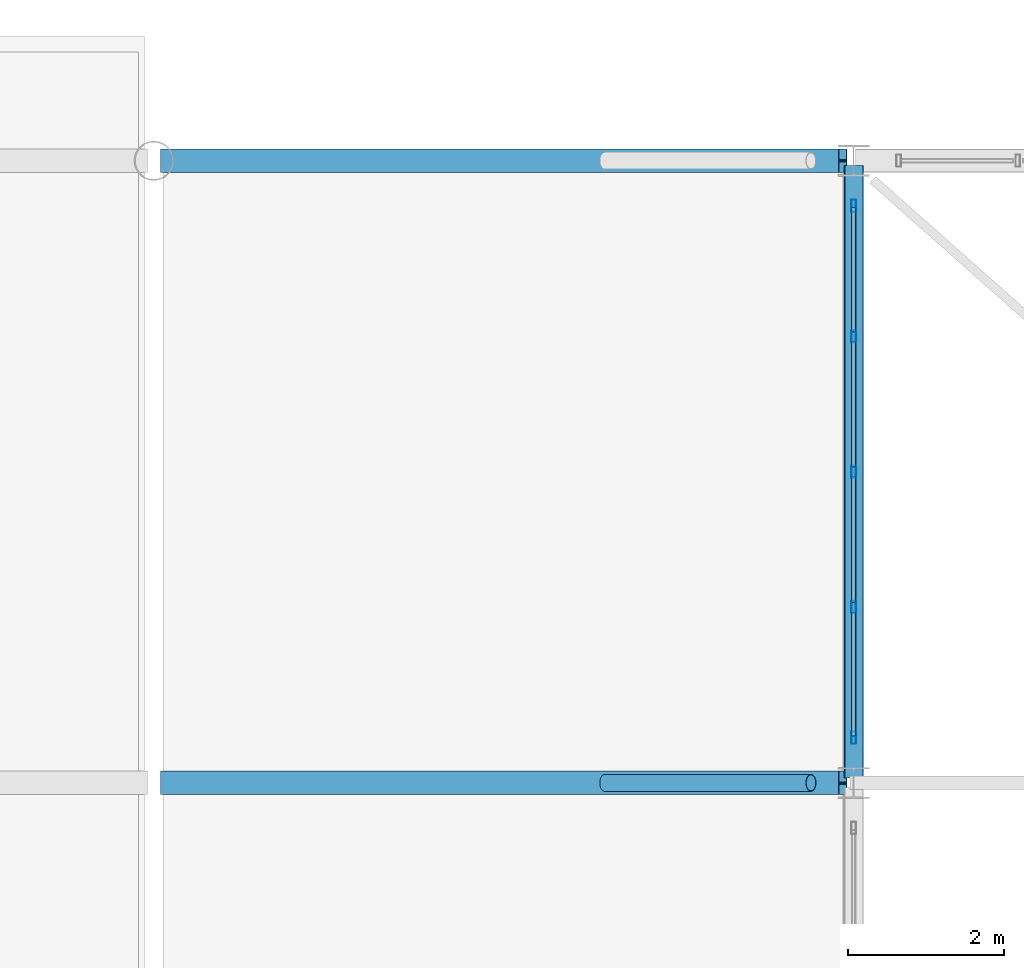
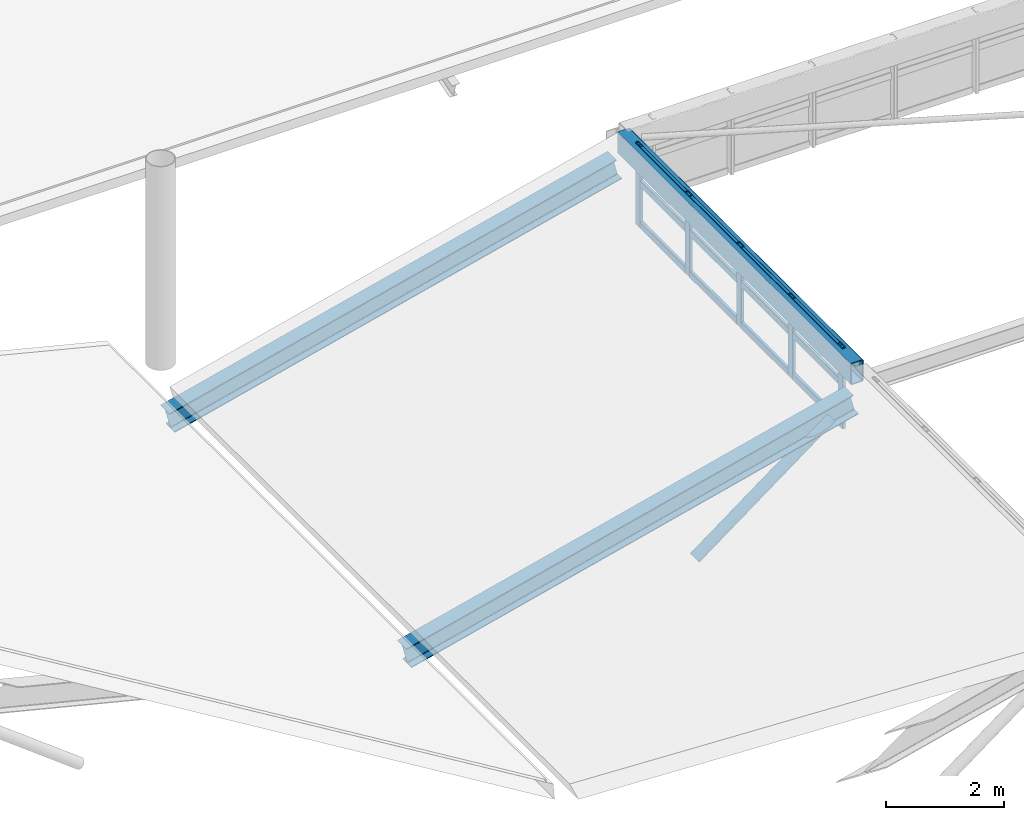
# One storey, part 44 of 128: 18 members, 3 beams, 1 element without a shape of its own.
"""IFC4 building model written with IfcOpenShell, lengths in metres."""

from ifc_helpers import new_model, si_unit, derived_unit, direction, frame, origin, origin_2d, place, context, subcontext, project, spatial, hollow_rectangle, hollow_circle, i_section, extrude, material, material_profile, profile_set, type_object, element, aggregate, save


model = new_model("IFC4")

# Units and contexts
model_context = context("Model", 3, precision=1e-05, world=origin(), true_north=direction((0.0, 1.0)))
body_context = subcontext(model_context, "Body", "Model", "MODEL_VIEW")
ifc_project = project(units=[si_unit("LENGTHUNIT", "METRE"), si_unit("AREAUNIT", "SQUARE_METRE"), si_unit("VOLUMEUNIT", "CUBIC_METRE"), si_unit("PLANEANGLEUNIT", "RADIAN"), si_unit("MASSUNIT", "GRAM", prefix="KILO"), derived_unit("THERMALTRANSMITTANCEUNIT", [(si_unit("MASSUNIT", "GRAM", prefix="KILO"), 1), (si_unit("TIMEUNIT", "SECOND"), -3), (si_unit("THERMODYNAMICTEMPERATUREUNIT", "KELVIN"), -1)])], contexts=[model_context])

# Site, building, storey
site_placement = place(None, origin())
site = spatial("IfcSite", under=ifc_project, at=site_placement, CompositionType="ELEMENT")
building_placement = place(site_placement, origin())
building = spatial("IfcBuilding", under=site, at=building_placement, Name="Zhenchuan Archway Interchange", CompositionType="ELEMENT")
storey_placement = place(building_placement, frame((0.0, 0.0, 14.39990234375)))
storey = spatial("IfcBuildingStorey", under=building, at=storey_placement, Name="L03", CompositionType="ELEMENT", Elevation=14.39990234375)

# Beams
ifc_material_1 = material(Name="Steel Q390", Category="steel")
ifc_material_profile_1 = material_profile(ifc_material_1, hollow_rectangle(XDim=0.25, YDim=0.449951171875, WallThickness=0.013916015625, InnerFilletRadius=0.013916015625, OuterFilletRadius=0.028076171875, at=origin_2d()), Name="RHS 450x250x14")
ifc_profile_set_1 = profile_set([ifc_material_profile_1], Name="Steel Q390")
beam_type_1 = type_object("IfcBeamType", Name="BM_RING_RHS450", PredefinedType="BEAM", material=ifc_profile_set_1)
beam_placement = place(storey_placement, frame((27.0, 80.06005859375, 1.4501953125), z_axis=(0.0, 1.0, 0.0), x_axis=(-1.0, 0.0, 0.0)))
element("IfcBeam", 1, at=beam_placement, inside=storey, type_object=beam_type_1, Name="CONCOURSE CABLE-NET RING BEAM W-8", PredefinedType="BEAM", context=body_context, shape_type="SweptSolid", body=[
    extrude(hollow_rectangle(XDim=0.25, YDim=0.449951171875, WallThickness=0.013916015625, InnerFilletRadius=0.013916015625, OuterFilletRadius=0.028076171875, at=origin_2d()), origin(), (0.0, 0.0, 1.0), 7.8798828125),
])
ifc_material_2 = material(Name="Steel Q355", Category="steel")
ifc_material_profile_2 = material_profile(ifc_material_2, i_section(OverallWidth=0.300048828125, OverallDepth=0.43994140625, WebThickness=0.010986328125, FlangeThickness=0.01806640625, FilletRadius=0.02197265625, at=origin_2d()), Name="HM 440x300")
ifc_profile_set_2 = profile_set([ifc_material_profile_2], Name="Steel Q355")
beam_type_2 = type_object("IfcBeamType", Name="BM_STL_HM440", PredefinedType="BEAM", material=ifc_profile_set_2)
for number, where, z_axis, x_axis, name in (
    (2, (18.139892578125, 80.0, -1.219970703125), (0.97013930464, 0.0, 0.242548406698), (0.0, 1.0, 0.0), "ROOF TRUSS bus canopy T8 top chord 3"),
    (3, (18.139892578125, 88.0, -1.219970703125), (0.97013930464, 0.0, 0.242548406698), (0.0, 1.0, 0.0), "ROOF TRUSS bus canopy T9 top chord 3"),
):
    element("IfcBeam", number, at=place(storey_placement, frame(where, z_axis=z_axis, x_axis=x_axis)), inside=storey, type_object=beam_type_2, Name=name, PredefinedType="BEAM", context=body_context, shape_type="SweptSolid", body=[
        extrude(i_section(OverallWidth=0.300048828125, OverallDepth=0.43994140625, WebThickness=0.010986328125, FlangeThickness=0.01806640625, FilletRadius=0.02197265625, at=origin_2d()), origin(), (0.0, 0.0, 1.0), 8.988525390625),
    ])

# Curtain wall, members
ifc_material_3 = material(Name="Anodised Aluminium", Category="aluminium")
curtain_wall_type = type_object("IfcCurtainWallType", Name="CW_UNIT_3", PredefinedType="NOTDEFINED", material=ifc_material_3)
curtain_wall_placement = place(storey_placement, origin())
curtain_wall = element("IfcCurtainWall", 4, at=curtain_wall_placement, inside=storey, type_object=curtain_wall_type, Name="Unitised curtain wall CW:L03:RING-W8", PredefinedType="NOTDEFINED")
ifc_material_profile_3 = material_profile(ifc_material_3, hollow_rectangle(XDim=0.06005859375, YDim=0.159912109375, WallThickness=0.00390625, InnerFilletRadius=0.00390625, OuterFilletRadius=0.008056640625, at=origin_2d()), Name="ALU 160x60x4")
ifc_profile_set_3 = profile_set([ifc_material_profile_3], Name="Anodised Aluminium")
member_type_1 = type_object("IfcMemberType", Name="CW_MUL_150", PredefinedType="MULLION", material=ifc_profile_set_3)
member_1_placement = place(storey_placement, frame((27.0, 80.580078125, 0.02001953125), z_axis=(0.0, 0.0, 1.0), x_axis=(1.0, 0.0, 0.0)))
member_1 = element("IfcMember", 5, at=member_1_placement, type_object=member_type_1, Name="CW:L03:RING-W8 mullion 0", PredefinedType="MULLION", context=body_context, shape_type="SweptSolid", body=[
    extrude(hollow_rectangle(XDim=0.06005859375, YDim=0.159912109375, WallThickness=0.00390625, InnerFilletRadius=0.00390625, OuterFilletRadius=0.008056640625, at=origin_2d()), origin(), (0.0, 0.0, 1.0), 1.68017578125),
])
member_2_placement = place(storey_placement, frame((27.0, 82.260009765625, 0.02001953125), z_axis=(0.0, 0.0, 1.0), x_axis=(1.0, 0.0, 0.0)))
member_2 = element("IfcMember", 6, at=member_2_placement, type_object=member_type_1, Name="CW:L03:RING-W8 mullion 1", PredefinedType="MULLION", context=body_context, shape_type="SweptSolid", body=[
    extrude(hollow_rectangle(XDim=0.06005859375, YDim=0.159912109375, WallThickness=0.00390625, InnerFilletRadius=0.00390625, OuterFilletRadius=0.008056640625, at=origin_2d()), origin(), (0.0, 0.0, 1.0), 1.68017578125),
])
member_3_placement = place(storey_placement, frame((27.0, 84.0, 0.02001953125), z_axis=(0.0, 0.0, 1.0), x_axis=(1.0, 0.0, 0.0)))
member_3 = element("IfcMember", 7, at=member_3_placement, type_object=member_type_1, Name="CW:L03:RING-W8 mullion 2", PredefinedType="MULLION", context=body_context, shape_type="SweptSolid", body=[
    extrude(hollow_rectangle(XDim=0.06005859375, YDim=0.159912109375, WallThickness=0.00390625, InnerFilletRadius=0.00390625, OuterFilletRadius=0.008056640625, at=origin_2d()), origin(), (0.0, 0.0, 1.0), 1.68017578125),
])
member_4_placement = place(storey_placement, frame((27.0, 85.739990234375, 0.02001953125), z_axis=(0.0, 0.0, 1.0), x_axis=(1.0, 0.0, 0.0)))
member_4 = element("IfcMember", 8, at=member_4_placement, type_object=member_type_1, Name="CW:L03:RING-W8 mullion 3", PredefinedType="MULLION", context=body_context, shape_type="SweptSolid", body=[
    extrude(hollow_rectangle(XDim=0.06005859375, YDim=0.159912109375, WallThickness=0.00390625, InnerFilletRadius=0.00390625, OuterFilletRadius=0.008056640625, at=origin_2d()), origin(), (0.0, 0.0, 1.0), 1.68017578125),
])
member_5_placement = place(storey_placement, frame((27.0, 87.419921875, 0.02001953125), z_axis=(0.0, 0.0, 1.0), x_axis=(1.0, 0.0, 0.0)))
member_5 = element("IfcMember", 9, at=member_5_placement, type_object=member_type_1, Name="CW:L03:RING-W8 mullion 4", PredefinedType="MULLION", context=body_context, shape_type="SweptSolid", body=[
    extrude(hollow_rectangle(XDim=0.06005859375, YDim=0.159912109375, WallThickness=0.00390625, InnerFilletRadius=0.00390625, OuterFilletRadius=0.008056640625, at=origin_2d()), origin(), (0.0, 0.0, 1.0), 1.68017578125),
])
ifc_material_profile_4 = material_profile(ifc_material_3, hollow_rectangle(XDim=0.06005859375, YDim=0.139892578125, WallThickness=0.00341796875, InnerFilletRadius=0.00341796875, OuterFilletRadius=0.007080078125, at=origin_2d()), Name="ALU 140x60x3.5")
ifc_profile_set_4 = profile_set([ifc_material_profile_4], Name="Anodised Aluminium")
member_type_2 = type_object("IfcMemberType", Name="CW_TRN_140", PredefinedType="USERDEFINED", material=ifc_profile_set_4)
member_6_placement = place(storey_placement, frame((27.0, 80.60009765625, 0.080078125), z_axis=(0.0, 1.0, 0.0), x_axis=(-1.0, 0.0, 0.0)))
member_6 = element("IfcMember", 10, at=member_6_placement, type_object=member_type_2, Name="CW:L03:RING-W8 transom 0-1", ObjectType="TRANSOM", PredefinedType="USERDEFINED", context=body_context, shape_type="SweptSolid", body=[
    extrude(hollow_rectangle(XDim=0.06005859375, YDim=0.139892578125, WallThickness=0.00341796875, InnerFilletRadius=0.00341796875, OuterFilletRadius=0.007080078125, at=origin_2d()), origin(), (0.0, 0.0, 1.0), 1.599853515625),
])
member_7_placement = place(storey_placement, frame((27.0, 80.60009765625, 0.93310546875), z_axis=(0.0, 1.0, 0.0), x_axis=(-1.0, 0.0, 0.0)))
member_7 = element("IfcMember", 11, at=member_7_placement, type_object=member_type_2, Name="CW:L03:RING-W8 transom 0-2", ObjectType="TRANSOM", PredefinedType="USERDEFINED", context=body_context, shape_type="SweptSolid", body=[
    extrude(hollow_rectangle(XDim=0.06005859375, YDim=0.139892578125, WallThickness=0.00341796875, InnerFilletRadius=0.00341796875, OuterFilletRadius=0.007080078125, at=origin_2d()), origin(), (0.0, 0.0, 1.0), 1.599853515625),
])
member_8_placement = place(storey_placement, frame((27.0, 80.60009765625, 1.6201171875), z_axis=(0.0, 1.0, 0.0), x_axis=(-1.0, 0.0, 0.0)))
member_8 = element("IfcMember", 12, at=member_8_placement, type_object=member_type_2, Name="CW:L03:RING-W8 transom 0-3", ObjectType="TRANSOM", PredefinedType="USERDEFINED", context=body_context, shape_type="SweptSolid", body=[
    extrude(hollow_rectangle(XDim=0.06005859375, YDim=0.139892578125, WallThickness=0.00341796875, InnerFilletRadius=0.00341796875, OuterFilletRadius=0.007080078125, at=origin_2d()), origin(), (0.0, 0.0, 1.0), 1.599853515625),
])
member_9_placement = place(storey_placement, frame((27.0, 82.320068359375, 0.080078125), z_axis=(0.0, 1.0, 0.0), x_axis=(-1.0, 0.0, 0.0)))
member_9 = element("IfcMember", 13, at=member_9_placement, type_object=member_type_2, Name="CW:L03:RING-W8 transom 1-1", ObjectType="TRANSOM", PredefinedType="USERDEFINED", context=body_context, shape_type="SweptSolid", body=[
    extrude(hollow_rectangle(XDim=0.06005859375, YDim=0.139892578125, WallThickness=0.00341796875, InnerFilletRadius=0.00341796875, OuterFilletRadius=0.007080078125, at=origin_2d()), origin(), (0.0, 0.0, 1.0), 1.619873046875),
])
member_10_placement = place(storey_placement, frame((27.0, 82.320068359375, 0.93310546875), z_axis=(0.0, 1.0, 0.0), x_axis=(-1.0, 0.0, 0.0)))
member_10 = element("IfcMember", 14, at=member_10_placement, type_object=member_type_2, Name="CW:L03:RING-W8 transom 1-2", ObjectType="TRANSOM", PredefinedType="USERDEFINED", context=body_context, shape_type="SweptSolid", body=[
    extrude(hollow_rectangle(XDim=0.06005859375, YDim=0.139892578125, WallThickness=0.00341796875, InnerFilletRadius=0.00341796875, OuterFilletRadius=0.007080078125, at=origin_2d()), origin(), (0.0, 0.0, 1.0), 1.619873046875),
])
member_11_placement = place(storey_placement, frame((27.0, 82.320068359375, 1.6201171875), z_axis=(0.0, 1.0, 0.0), x_axis=(-1.0, 0.0, 0.0)))
member_11 = element("IfcMember", 15, at=member_11_placement, type_object=member_type_2, Name="CW:L03:RING-W8 transom 1-3", ObjectType="TRANSOM", PredefinedType="USERDEFINED", context=body_context, shape_type="SweptSolid", body=[
    extrude(hollow_rectangle(XDim=0.06005859375, YDim=0.139892578125, WallThickness=0.00341796875, InnerFilletRadius=0.00341796875, OuterFilletRadius=0.007080078125, at=origin_2d()), origin(), (0.0, 0.0, 1.0), 1.619873046875),
])
member_12_placement = place(storey_placement, frame((27.0, 84.06005859375, 0.080078125), z_axis=(0.0, 1.0, 0.0), x_axis=(-1.0, 0.0, 0.0)))
member_12 = element("IfcMember", 16, at=member_12_placement, type_object=member_type_2, Name="CW:L03:RING-W8 transom 2-1", ObjectType="TRANSOM", PredefinedType="USERDEFINED", context=body_context, shape_type="SweptSolid", body=[
    extrude(hollow_rectangle(XDim=0.06005859375, YDim=0.139892578125, WallThickness=0.00341796875, InnerFilletRadius=0.00341796875, OuterFilletRadius=0.007080078125, at=origin_2d()), origin(), (0.0, 0.0, 1.0), 1.619873046875),
])
member_13_placement = place(storey_placement, frame((27.0, 84.06005859375, 0.93310546875), z_axis=(0.0, 1.0, 0.0), x_axis=(-1.0, 0.0, 0.0)))
member_13 = element("IfcMember", 17, at=member_13_placement, type_object=member_type_2, Name="CW:L03:RING-W8 transom 2-2", ObjectType="TRANSOM", PredefinedType="USERDEFINED", context=body_context, shape_type="SweptSolid", body=[
    extrude(hollow_rectangle(XDim=0.06005859375, YDim=0.139892578125, WallThickness=0.00341796875, InnerFilletRadius=0.00341796875, OuterFilletRadius=0.007080078125, at=origin_2d()), origin(), (0.0, 0.0, 1.0), 1.619873046875),
])
member_14_placement = place(storey_placement, frame((27.0, 84.06005859375, 1.6201171875), z_axis=(0.0, 1.0, 0.0), x_axis=(-1.0, 0.0, 0.0)))
member_14 = element("IfcMember", 18, at=member_14_placement, type_object=member_type_2, Name="CW:L03:RING-W8 transom 2-3", ObjectType="TRANSOM", PredefinedType="USERDEFINED", context=body_context, shape_type="SweptSolid", body=[
    extrude(hollow_rectangle(XDim=0.06005859375, YDim=0.139892578125, WallThickness=0.00341796875, InnerFilletRadius=0.00341796875, OuterFilletRadius=0.007080078125, at=origin_2d()), origin(), (0.0, 0.0, 1.0), 1.619873046875),
])
member_15_placement = place(storey_placement, frame((27.0, 85.800048828125, 0.080078125), z_axis=(0.0, 1.0, 0.0), x_axis=(-1.0, 0.0, 0.0)))
member_15 = element("IfcMember", 19, at=member_15_placement, type_object=member_type_2, Name="CW:L03:RING-W8 transom 3-1", ObjectType="TRANSOM", PredefinedType="USERDEFINED", context=body_context, shape_type="SweptSolid", body=[
    extrude(hollow_rectangle(XDim=0.06005859375, YDim=0.139892578125, WallThickness=0.00341796875, InnerFilletRadius=0.00341796875, OuterFilletRadius=0.007080078125, at=origin_2d()), origin(), (0.0, 0.0, 1.0), 1.599853515625),
])
member_16_placement = place(storey_placement, frame((27.0, 85.800048828125, 0.93310546875), z_axis=(0.0, 1.0, 0.0), x_axis=(-1.0, 0.0, 0.0)))
member_16 = element("IfcMember", 20, at=member_16_placement, type_object=member_type_2, Name="CW:L03:RING-W8 transom 3-2", ObjectType="TRANSOM", PredefinedType="USERDEFINED", context=body_context, shape_type="SweptSolid", body=[
    extrude(hollow_rectangle(XDim=0.06005859375, YDim=0.139892578125, WallThickness=0.00341796875, InnerFilletRadius=0.00341796875, OuterFilletRadius=0.007080078125, at=origin_2d()), origin(), (0.0, 0.0, 1.0), 1.599853515625),
])
member_17_placement = place(storey_placement, frame((27.0, 85.800048828125, 1.6201171875), z_axis=(0.0, 1.0, 0.0), x_axis=(-1.0, 0.0, 0.0)))
member_17 = element("IfcMember", 21, at=member_17_placement, type_object=member_type_2, Name="CW:L03:RING-W8 transom 3-3", ObjectType="TRANSOM", PredefinedType="USERDEFINED", context=body_context, shape_type="SweptSolid", body=[
    extrude(hollow_rectangle(XDim=0.06005859375, YDim=0.139892578125, WallThickness=0.00341796875, InnerFilletRadius=0.00341796875, OuterFilletRadius=0.007080078125, at=origin_2d()), origin(), (0.0, 0.0, 1.0), 1.599853515625),
])
aggregate(curtain_wall, [member_1, member_2, member_3, member_4, member_5, member_6, member_7, member_8, member_9, member_10, member_11, member_12, member_13, member_14, member_15, member_16, member_17])

# Member
ifc_material_profile_5 = material_profile(ifc_material_2, hollow_circle(Radius=0.109619140625, WallThickness=0.008056640625, at=origin_2d()), Name="CHS 219x8")
ifc_profile_set_5 = profile_set([ifc_material_profile_5], Name="Steel Q355")
member_type_3 = type_object("IfcMemberType", Name="MB_CHS219", PredefinedType="BRACE", material=ifc_profile_set_5)
member_18_placement = place(storey_placement, frame((23.800048828125, 80.0, -1.219970703125), z_axis=(0.801079207633, 0.0, 0.598558353962), x_axis=(0.0, 1.0, 0.0)))
element("IfcMember", 22, at=member_18_placement, inside=storey, type_object=member_type_3, Name="ROOF TRUSS bus canopy T8 web D3", PredefinedType="BRACE", context=body_context, shape_type="SweptSolid", body=[
    extrude(hollow_circle(Radius=0.109619140625, WallThickness=0.008056640625, at=origin_2d()), origin(), (0.0, 0.0, 1.0), 3.307861328125),
])

save(model, "model.ifc")
